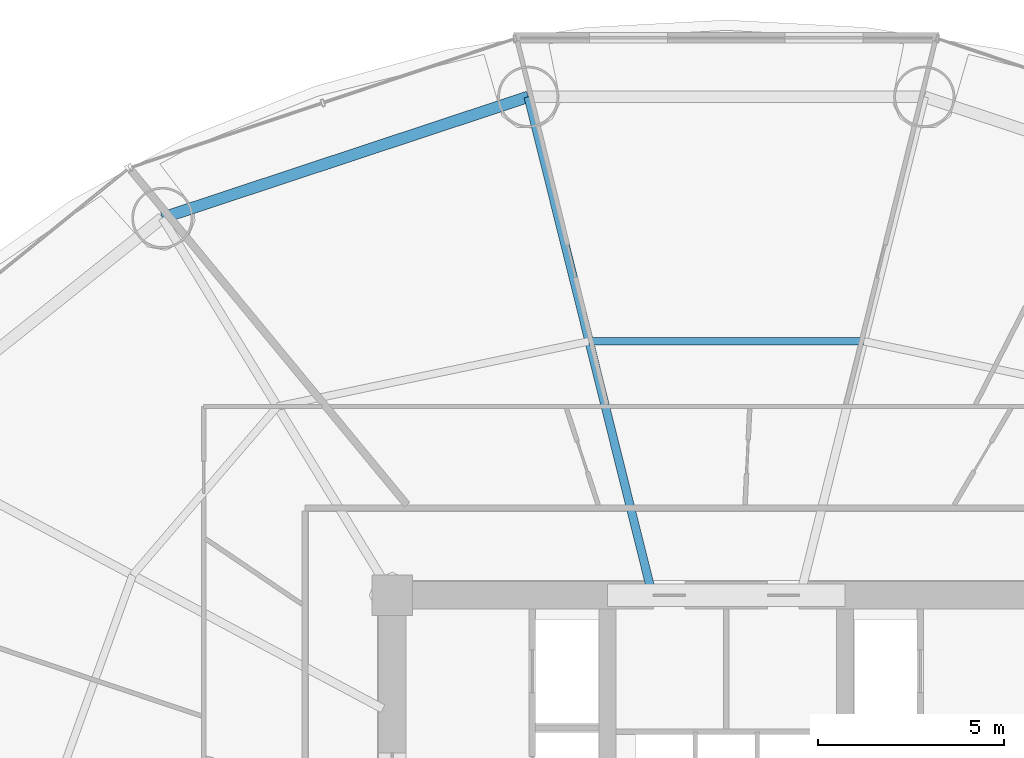
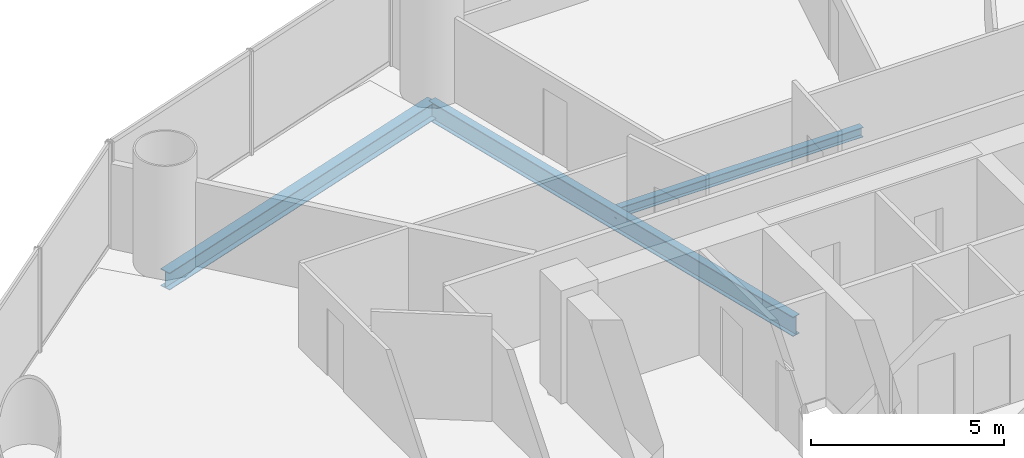
# One storey, part 15 of 28: 3 beams.
"""IFC4 building model written with IfcOpenShell, lengths in metres."""

from ifc_helpers import new_model, si_unit, direction, frame, origin, origin_2d, place, context, subcontext, project, spatial, i_section, extrude, material, material_profile, profile_set, type_object, element, save


model = new_model("IFC4")

# Units and contexts
model_context = context("Model", 3, precision=1e-05, world=origin(), true_north=direction((-0.2419218956, 0.970295726276)))
body_context = subcontext(model_context, "Body", "Model", "MODEL_VIEW")
ifc_project = project(units=[si_unit("LENGTHUNIT", "METRE"), si_unit("AREAUNIT", "SQUARE_METRE"), si_unit("VOLUMEUNIT", "CUBIC_METRE"), si_unit("PLANEANGLEUNIT", "RADIAN"), si_unit("MASSUNIT", "GRAM", prefix="KILO")], contexts=[model_context])

# Site, building, storey
site_placement = place(None, origin())
site = spatial("IfcSite", under=ifc_project, at=site_placement, CompositionType="ELEMENT")
building_placement = place(site_placement, origin())
building = spatial("IfcBuilding", under=site, at=building_placement, Name="Cobrevalo Terracotta Tower", CompositionType="ELEMENT")
storey_placement = place(building_placement, frame((0.0, 0.0, 42.0)))
storey = spatial("IfcBuildingStorey", under=building, at=storey_placement, Name="L10", CompositionType="ELEMENT", Elevation=42.0)

# Beams
ifc_material = material(Name="Steel S355", Category="steel")
ifc_material_profile_1 = material_profile(ifc_material, i_section(OverallWidth=0.22998046875, OverallDepth=0.616943359375, WebThickness=0.01318359375, FlangeThickness=0.022216796875, at=origin_2d()), Name="W 610x140")
ifc_profile_set_1 = profile_set([ifc_material_profile_1], Name="Steel S355")
beam_type_1 = type_object("IfcBeamType", Name="Structural Beam W 610x140 (Steel S355)", PredefinedType="BEAM", material=ifc_profile_set_1)
beam_1_placement = place(storey_placement, frame((32.664306640625, 48.230224609375, -0.58837890625), z_axis=(0.241596254786, -0.970376859614, 0.0), x_axis=(0.970376859614, 0.241596254786, 0.0)))
element("IfcBeam", 1, at=beam_1_placement, inside=storey, type_object=beam_type_1, Name="L10 radial floor girder 05", PredefinedType="BEAM", context=body_context, shape_type="SweptSolid", body=[
    extrude(i_section(OverallWidth=0.22998046875, OverallDepth=0.616943359375, WebThickness=0.01318359375, FlangeThickness=0.022216796875, at=origin_2d()), origin(), (0.0, 0.0, 1.0), 13.577392578125),
])
ifc_material_profile_2 = material_profile(ifc_material, i_section(OverallWidth=0.2041015625, OverallDepth=0.305908203125, WebThickness=0.008544921875, FlangeThickness=0.0146484375, at=origin_2d()), Name="W 310x67")
ifc_profile_set_2 = profile_set([ifc_material_profile_2], Name="Steel S355")
beam_type_2 = type_object("IfcBeamType", Name="Structural Joist W 310x67 (Steel S355)", PredefinedType="JOIST", material=ifc_profile_set_2)
beam_2_placement = place(storey_placement, frame((41.695556640625, 41.642578125, -0.43310546875), z_axis=(-1.0, 0.0, 0.0), x_axis=(0.0, -1.0, 0.0)))
element("IfcBeam", 2, at=beam_2_placement, inside=storey, type_object=beam_type_2, Name="L10 circumferential secondary floor joist 04", PredefinedType="JOIST", context=body_context, shape_type="SweptSolid", body=[
    extrude(i_section(OverallWidth=0.2041015625, OverallDepth=0.305908203125, WebThickness=0.008544921875, FlangeThickness=0.0146484375, at=origin_2d()), origin(), (0.0, 0.0, 1.0), 7.39111328125),
])
ifc_material_profile_3 = material_profile(ifc_material, i_section(OverallWidth=0.31201171875, OverallDepth=0.54296875, WebThickness=0.0126953125, FlangeThickness=0.020263671875, at=origin_2d()), Name="W 530x150")
ifc_profile_set_3 = profile_set([ifc_material_profile_3], Name="Steel S355")
beam_type_3 = type_object("IfcBeamType", Name="Structural Spandrel W 530x150 (Steel S355)", PredefinedType="SPANDREL", material=ifc_profile_set_3)
beam_3_placement = place(storey_placement, frame((32.664306640625, 48.230224609375, -0.551513671875), z_axis=(-0.949365190876, -0.314174687638, 0.0), x_axis=(0.314174687638, -0.949365190876, 0.0)))
element("IfcBeam", 3, at=beam_3_placement, inside=storey, type_object=beam_type_3, Name="L10 perimeter ring spandrel 05", PredefinedType="SPANDREL", context=body_context, shape_type="SweptSolid", body=[
    extrude(i_section(OverallWidth=0.31201171875, OverallDepth=0.54296875, WebThickness=0.0126953125, FlangeThickness=0.020263671875, at=origin_2d()), origin(), (0.0, 0.0, 1.0), 10.385009765625),
])

save(model, "model.ifc")
